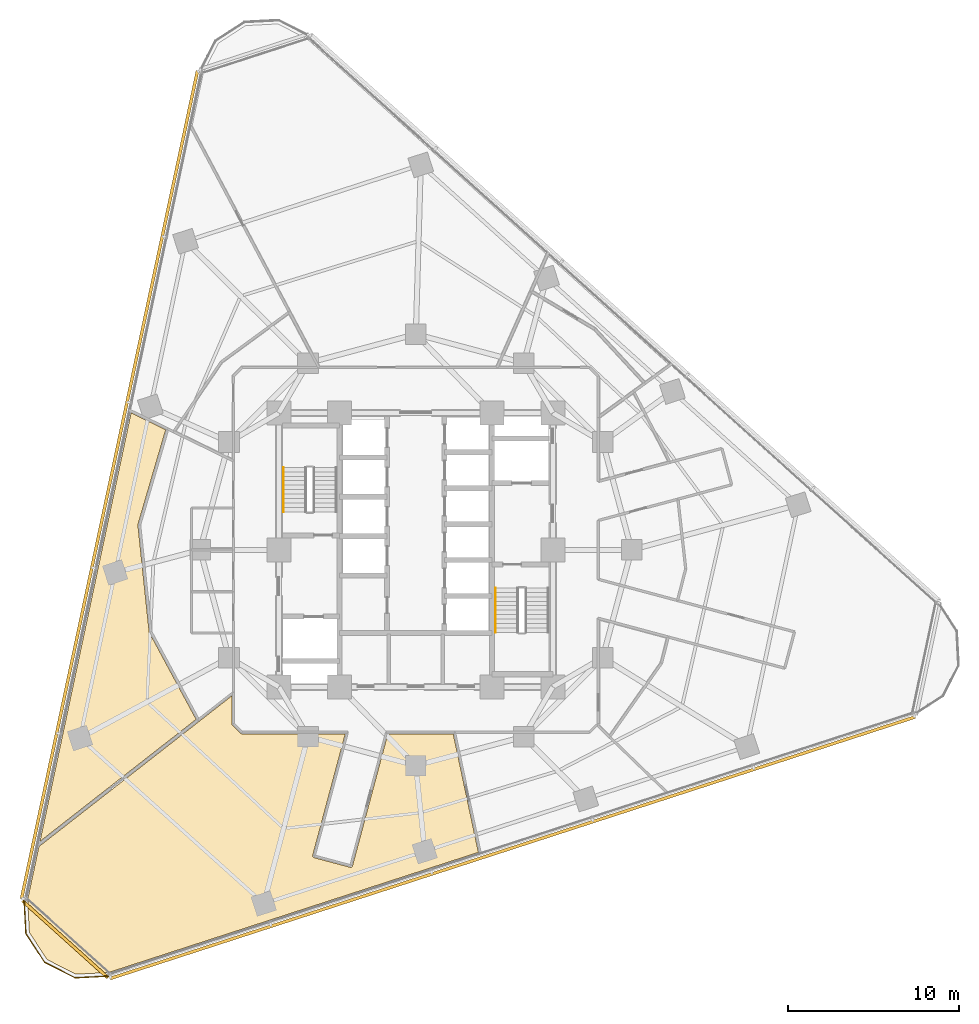
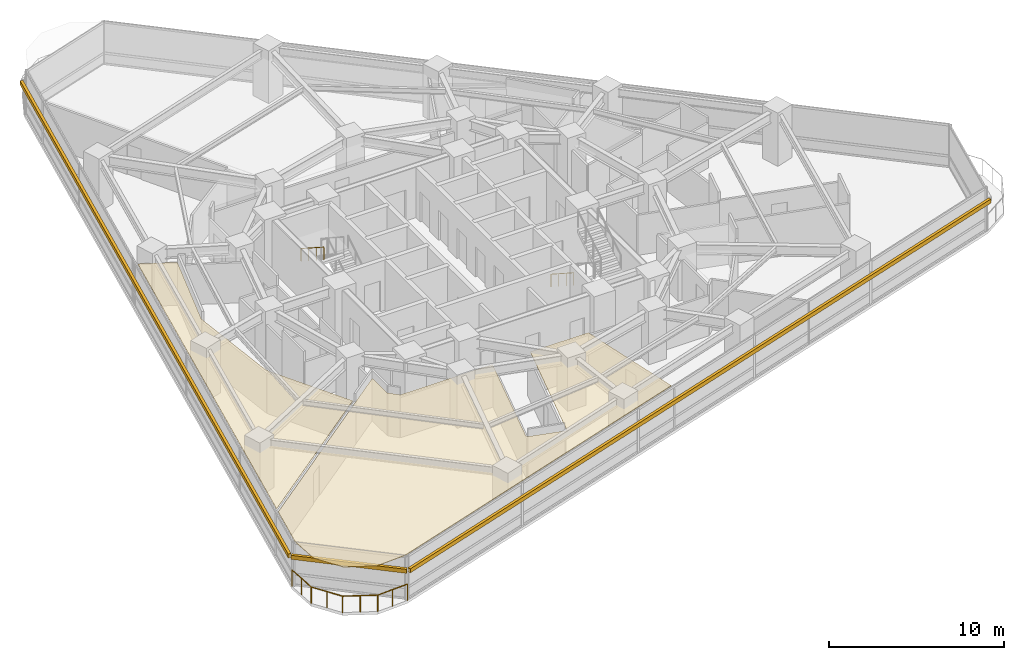
# One storey, part 11 of 13: 3 railings, 3 shading devices, 2 coverings.
"""IFC4 building model written with IfcOpenShell, lengths in metres."""

from ifc_helpers import new_model, si_unit, direction, frame, origin, origin_2d, place, context, subcontext, project, spatial, polyline, rectangle, circle, outline, extrude, material, layer, layer_set, type_object, element, save


model = new_model("IFC4")

# Units and contexts
model_context = context("Model", 3, precision=1e-05, world=origin(), true_north=direction((0.0, 1.0)))
body_context = subcontext(model_context, "Body", "Model", "MODEL_VIEW")
ifc_project = project(units=[si_unit("LENGTHUNIT", "METRE"), si_unit("AREAUNIT", "SQUARE_METRE"), si_unit("VOLUMEUNIT", "CUBIC_METRE"), si_unit("PLANEANGLEUNIT", "RADIAN"), si_unit("MASSUNIT", "GRAM", prefix="KILO")], contexts=[model_context])

# Site, building, storey
site_placement = place(None, origin())
site = spatial("IfcSite", under=ifc_project, at=site_placement, CompositionType="ELEMENT")
building_placement = place(site_placement, origin())
building = spatial("IfcBuilding", under=site, at=building_placement, Name="Terralouvre Media Tower", CompositionType="ELEMENT")
storey_placement = place(building_placement, frame((0.0, 0.0, 108.800048828125)))
storey = spatial("IfcBuildingStorey", under=building, at=storey_placement, Name="L27", CompositionType="ELEMENT", Elevation=108.800048828125)

# Coverings
ifc_material_1 = material(Name="Perforated aluminium acoustic ceiling baffle", Category="aluminium")
ifc_layer_1 = layer(ifc_material_1, 0.0400390625, Name="Perforated Acoustic Metal Tile Ceiling CL-AC1")
ifc_layer_set_1 = layer_set([ifc_layer_1], Name="Perforated aluminium acoustic ceiling baffle")
covering_type = type_object("IfcCoveringType", Name="Perforated Acoustic Metal Tile Ceiling CL-AC1", PredefinedType="CEILING", material=ifc_layer_set_1)
covering_1_placement = place(storey_placement, frame((0.0, 0.0, 2.97998046875), z_axis=(0.0, 0.0, 1.0), x_axis=(0.951056516295, 0.309016994375, 0.0)))
element("IfcCovering", 1, at=covering_1_placement, inside=storey, type_object=covering_type, Name="L27 Nutrition Tea Pantry 1 Acoustic Ceiling", PredefinedType="CEILING", context=body_context, shape_type="SweptSolid", body=[
    extrude(outline(polyline([(-4.880126953125, -9.717529296875), (-9.232421875, -16.420654296875), (-9.23828125, -16.428466796875), (-9.24462890625, -16.435791015625), (-9.251953125, -16.442626953125), (-9.259765625, -16.448486328125), (-9.26806640625, -16.45361328125), (-9.27685546875, -16.4580078125), (-9.2861328125, -16.46142578125), (-9.295654296875, -16.4638671875), (-9.30517578125, -16.465576171875), (-9.31494140625, -16.466064453125), (-9.324951171875, -16.4658203125), (-9.33447265625, -16.46435546875), (-9.343994140625, -16.462158203125), (-9.353515625, -16.458984375), (-9.3623046875, -16.454833984375), (-9.370849609375, -16.449951171875), (-11.216064453125, -15.252197265625), (-11.223876953125, -15.246337890625), (-11.231201171875, -15.239990234375), (-11.238037109375, -15.232666015625), (-11.243896484375, -15.224853515625), (-11.249267578125, -15.216552734375), (-11.25341796875, -15.207763671875), (-11.2568359375, -15.198486328125), (-11.25927734375, -15.18896484375), (-11.260986328125, -15.179443359375), (-11.261474609375, -15.16943359375), (-11.26123046875, -15.15966796875), (-11.259765625, -15.150146484375), (-11.257568359375, -15.140625), (-11.25439453125, -15.13134765625), (-11.25048828125, -15.122314453125), (-11.245361328125, -15.11376953125), (-7.242431640625, -8.949951171875), (-12.97509765625, -7.08740234375), (-12.984375, -7.083740234375), (-12.9931640625, -7.07958984375), (-13.00146484375, -7.07421875), (-13.00927734375, -7.068359375), (-13.016357421875, -7.0615234375), (-13.022705078125, -7.05419921875), (-13.0283203125, -7.046142578125), (-13.033447265625, -7.03759765625), (-13.354248046875, -6.407470703125), (-13.3583984375, -6.398681640625), (-13.361572265625, -6.389404296875), (-13.36376953125, -6.379638671875), (-13.364990234375, -6.3701171875), (-13.365234375, -6.360107421875), (-13.364501953125, -6.350341796875), (-13.363037109375, -6.3408203125), (-13.3603515625, -6.331298828125), (-12.858642578125, -4.786865234375), (-15.115234375, -5.6083984375), (-26.292724609375, -9.676025390625), (-27.874755859375, -12.416748046875), (-28.372314453125, -14.27197265625), (-27.883056640625, -16.0986328125), (-26.54638671875, -17.434814453125), (-24.69140625, -17.932373046875), (-1.98486328125, -17.931884765625), (-1.245849609375, -10.8984375), (-4.880126953125, -9.717529296875)])), origin(), (0.0, 0.0, 1.0), 0.0400390625),
])
covering_2_placement = place(storey_placement, frame((0.0, 0.0, 2.97998046875), z_axis=(0.0, 0.0, 1.0), x_axis=(0.951056516295, 0.309016994375, 0.0)))
element("IfcCovering", 2, at=covering_2_placement, inside=storey, type_object=covering_type, Name="L27 Club Administration Office 7 Acoustic Ceiling", PredefinedType="CEILING", context=body_context, shape_type="SweptSolid", body=[
    extrude(outline(polyline([(-16.296142578125, 0.218017578125), (-16.297607421875, 0.2275390625), (-16.2978515625, 0.2373046875), (-16.29736328125, 0.2470703125), (-16.295654296875, 0.2568359375), (-14.991455078125, 6.39404296875), (-14.98876953125, 6.403564453125), (-14.9853515625, 6.41259765625), (-14.981201171875, 6.42138671875), (-14.97607421875, 6.4296875), (-11.727783203125, 11.186767578125), (-13.34521484375, 12.7490234375), (-26.13720703125, -9.40673828125), (-15.26318359375, -5.449462890625), (-16.296142578125, 0.218017578125)])), origin(), (0.0, 0.0, 1.0), 0.0400390625),
])

# Railings
ifc_material_2 = material(Name="Stainless steel 316 handrail and balustrade", Category="steel")
ifc_layer_2 = layer(ifc_material_2, 0.06005859375, Name="Roof Edge Safety Guardrail GR-ROOF1")
ifc_layer_set_2 = layer_set([ifc_layer_2], Name="Stainless steel 316 handrail and balustrade")
railing_type_1 = type_object("IfcRailingType", Name="Roof Edge Safety Guardrail GR-ROOF1", PredefinedType="GUARDRAIL", material=ifc_layer_set_2)
railing_1_placement = place(storey_placement, frame((-22.8837890625, -20.395751953125, 0.0)))
element("IfcRailing", 3, at=railing_1_placement, inside=storey, type_object=railing_type_1, Name="L27 Wind-Corner Perimeter Safety Guardrail C0", PredefinedType="GUARDRAIL", context=body_context, shape_type="SweptSolid", body=[
    extrude(circle(Radius=0.02099609375, at=origin_2d()), frame((0.0, 0.0, 1.12890625), z_axis=(0.05204188706, -0.998644902851, 0.0), x_axis=(0.998644902851, 0.05204188706, 0.0)), (0.0, 0.0, 1.0), 2.0078125),
    extrude(circle(Radius=0.02099609375, at=origin_2d()), frame((0.1044921875, -2.005126953125, 1.12890625), z_axis=(0.544556562485, -0.838724120468, 0.0), x_axis=(0.838724120468, 0.544556562485, 0.0)), (0.0, 0.0, 1.0), 2.007568359375),
    extrude(circle(Radius=0.02099609375, at=origin_2d()), frame((1.19775390625, -3.68896484375, 1.12890625), z_axis=(0.891070121909, -0.453865660566, 0.0), x_axis=(0.453865660566, 0.891070121909, 0.0)), (0.0, 0.0, 1.0), 2.007568359375),
    extrude(circle(Radius=0.02099609375, at=origin_2d()), frame((2.986572265625, -4.60009765625, 1.12890625), z_axis=(0.998619508244, 0.052526924091, 0.0), x_axis=(-0.052526924091, 0.998619508244, 0.0)), (0.0, 0.0, 1.0), 2.0078125),
    extrude(circle(Radius=0.01904296875, at=origin_2d()), origin(), (0.0, 0.0, 1.0), 1.10791015625),
    extrude(circle(Radius=0.01904296875, at=origin_2d()), frame((0.05224609375, -1.00244140625, 0.0)), (0.0, 0.0, 1.0), 1.10791015625),
    extrude(circle(Radius=0.01904296875, at=origin_2d()), frame((0.1044921875, -2.005126953125, 0.0)), (0.0, 0.0, 1.0), 1.10791015625),
    extrude(circle(Radius=0.01904296875, at=origin_2d()), frame((0.651123046875, -2.84716796875, 0.0)), (0.0, 0.0, 1.0), 1.10791015625),
    extrude(circle(Radius=0.01904296875, at=origin_2d()), frame((1.19775390625, -3.68896484375, 0.0)), (0.0, 0.0, 1.0), 1.10791015625),
    extrude(circle(Radius=0.01904296875, at=origin_2d()), frame((2.09228515625, -4.14453125, 0.0)), (0.0, 0.0, 1.0), 1.10791015625),
    extrude(circle(Radius=0.01904296875, at=origin_2d()), frame((2.986572265625, -4.60009765625, 0.0)), (0.0, 0.0, 1.0), 1.10791015625),
    extrude(circle(Radius=0.01904296875, at=origin_2d()), frame((3.9892578125, -4.54736328125, 0.0)), (0.0, 0.0, 1.0), 1.10791015625),
    extrude(circle(Radius=0.01904296875, at=origin_2d()), frame((4.99169921875, -4.49462890625, 0.0)), (0.0, 0.0, 1.0), 1.10791015625),
])
ifc_material_3 = material(Name="Stainless steel 316 handrail and balustrade", Category="steel")
ifc_layer_3 = layer(ifc_material_3, 0.050048828125, Name="Stair Flight Wall Handrail HR-INT1")
ifc_layer_set_3 = layer_set([ifc_layer_3], Name="Stainless steel 316 handrail and balustrade")
railing_type_2 = type_object("IfcRailingType", Name="Stair Flight Wall Handrail HR-INT1", PredefinedType="HANDRAIL", material=ifc_layer_set_3)
railing_2_placement = place(storey_placement, frame((-7.72998046875, 4.820068359375, 2.01806640625)))
element("IfcRailing", 4, at=railing_2_placement, inside=storey, type_object=railing_type_2, Name="L27 ST-01 stair handrail 2", PredefinedType="HANDRAIL", context=body_context, shape_type="SweptSolid", body=[
    extrude(circle(Radius=0.02392578125, at=origin_2d()), frame((0.0, 0.0, 0.8759765625), z_axis=(0.0, -0.839648411786, 0.543130320075), x_axis=(1.0, 0.0, 0.0)), (0.0, 0.0, 1.0), 3.0966796875),
    extrude(circle(Radius=0.02099609375, at=origin_2d()), origin(), (0.0, 0.0, 1.0), 0.851806640625),
    extrude(circle(Radius=0.02099609375, at=origin_2d()), frame((0.0, -0.86669921875, 0.560546875)), (0.0, 0.0, 1.0), 0.851806640625),
    extrude(circle(Radius=0.02099609375, at=origin_2d()), frame((0.0, -1.7333984375, 1.121337890625)), (0.0, 0.0, 1.0), 0.851806640625),
    extrude(circle(Radius=0.02099609375, at=origin_2d()), frame((0.0, -2.60009765625, 1.681884765625)), (0.0, 0.0, 1.0), 0.851806640625),
])
railing_3_placement = place(storey_placement, frame((4.64990234375, -2.219970703125, 0.168212890625)))
element("IfcRailing", 5, at=railing_3_placement, inside=storey, type_object=railing_type_2, Name="L27 ST-02 stair handrail 1", PredefinedType="HANDRAIL", context=body_context, shape_type="SweptSolid", body=[
    extrude(circle(Radius=0.02392578125, at=origin_2d()), frame((0.0, 0.0, 0.8759765625), z_axis=(0.0, -0.839684365666, 0.543074733399), x_axis=(1.0, 0.0, 0.0)), (0.0, 0.0, 1.0), 3.096435546875),
    extrude(circle(Radius=0.02099609375, at=origin_2d()), origin(), (0.0, 0.0, 1.0), 0.851806640625),
    extrude(circle(Radius=0.02099609375, at=origin_2d()), frame((0.0, -0.86669921875, 0.560546875)), (0.0, 0.0, 1.0), 0.851806640625),
    extrude(circle(Radius=0.02099609375, at=origin_2d()), frame((0.0, -1.7333984375, 1.12109375)), (0.0, 0.0, 1.0), 0.851806640625),
    extrude(circle(Radius=0.02099609375, at=origin_2d()), frame((0.0, -2.60009765625, 1.681640625)), (0.0, 0.0, 1.0), 0.851806640625),
])

# Shading devices
ifc_material_4 = material(Name="Extruded terracotta baguette sunshade louvres", Category="masonry")
shading_device_type = type_object("IfcShadingDeviceType", Name="Terracotta Baguette Sunshade Louvre Screen TB-LV1", PredefinedType="USERDEFINED", material=ifc_material_4)
for number, where, z_axis, x_axis, name in (
    (6, (5.652587890625, -17.396728515625, 2.02392578125), (0.0, 0.0, 1.0), (0.951056509451, 0.309017015439, 0.0), "CW-L27-F0 Terracotta Baguette Sunshade Louvre"),
    (7, (-17.892333984375, 3.80322265625, 2.02392578125), (0.0, 0.0, 1.0), (-0.207911643887, -0.978147610709, 0.0), "CW-L27-F2 Terracotta Baguette Sunshade Louvre"),
):
    element("IfcShadingDevice", number, at=place(storey_placement, frame(where, z_axis=z_axis, x_axis=x_axis)), inside=storey, type_object=shading_device_type, Name=name, ObjectType="BAGUETTE", PredefinedType="USERDEFINED", context=body_context, shape_type="SweptSolid", body=[
        extrude(rectangle(XDim=49.43994140625, YDim=0.179931640625, at=origin_2d()), origin(), (0.0, 0.0, 1.0), 0.280029296875),
    ])
shading_device_placement = place(storey_placement, frame((-20.478271484375, -22.743408203125, 2.02392578125), z_axis=(0.0, 0.0, 1.0), x_axis=(0.743144668471, -0.669130780732, 0.0)))
element("IfcShadingDevice", 8, at=shading_device_placement, inside=storey, type_object=shading_device_type, Name="CW-L27-C0 Terracotta Baguette Sunshade Louvre", ObjectType="BAGUETTE", PredefinedType="USERDEFINED", context=body_context, shape_type="SweptSolid", body=[
    extrude(rectangle(XDim=6.720458984375, YDim=0.179931640625, at=origin_2d()), origin(), (0.0, 0.0, 1.0), 0.280029296875),
])

save(model, "model.ifc")
